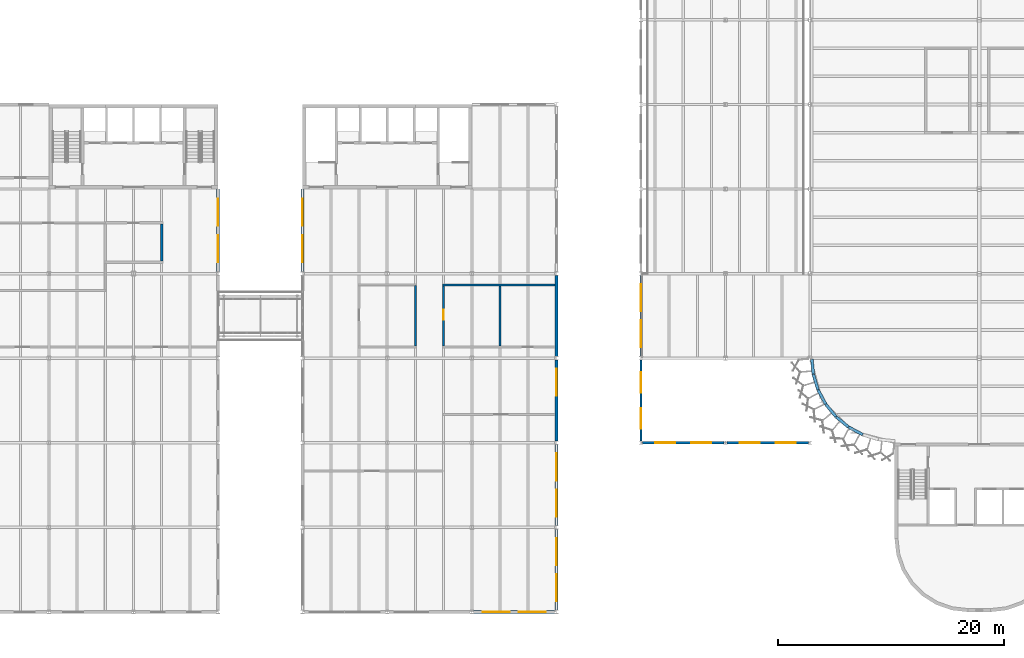
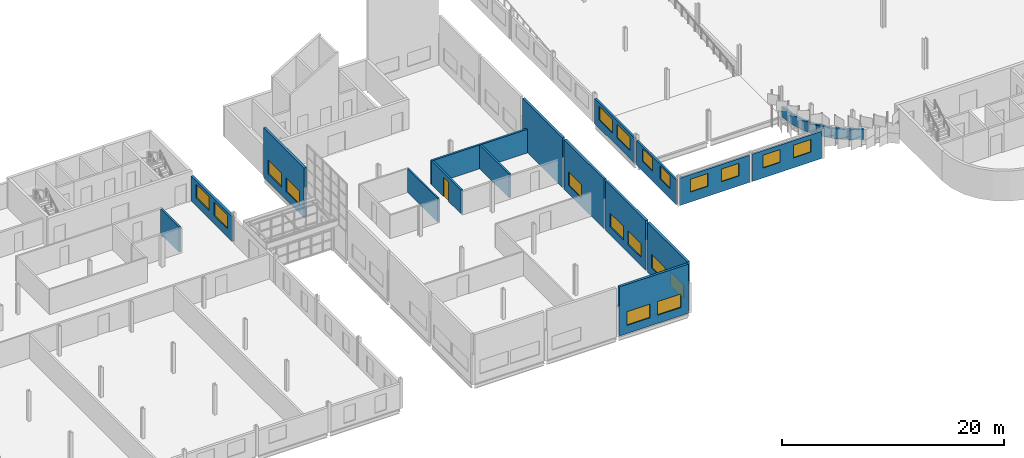
# One storey, part 53 of 198: 22 walls, 19 windows, 1 door, 20 openings.
"""IFC4 building model written with IfcOpenShell, lengths in metres."""

from ifc_helpers import new_model, si_unit, direction, frame, frame_2d, origin, place, context, subcontext, project, spatial, rectangle, extrude, material, layer, layer_set, type_object, element, fill, save


model = new_model("IFC4")

# Units and contexts
model_context = context("Model", 3, precision=1e-05, world=origin(), true_north=direction((0.0, 1.0)))
body_context = subcontext(model_context, "Body", "Model", "MODEL_VIEW")
ifc_project = project(units=[si_unit("LENGTHUNIT", "METRE"), si_unit("AREAUNIT", "SQUARE_METRE"), si_unit("VOLUMEUNIT", "CUBIC_METRE"), si_unit("PLANEANGLEUNIT", "RADIAN"), si_unit("MASSUNIT", "GRAM", prefix="KILO")], contexts=[model_context])

# Site, building, storey
site_placement = place(None, origin())
site = spatial("IfcSite", under=ifc_project, at=site_placement, CompositionType="ELEMENT")
building_placement = place(site_placement, origin())
building = spatial("IfcBuilding", under=site, at=building_placement, Name="Parallax Yard Mobility Hub", CompositionType="ELEMENT")
storey_placement = place(building_placement, frame((0.0, 0.0, 6.60009765625)))
storey = spatial("IfcBuildingStorey", under=building, at=storey_placement, Name="L02", CompositionType="ELEMENT", Elevation=6.60009765625)

# Walls
ifc_material_1 = material(Name="Concrete fc' 35 MPa", Category="concrete")
ifc_layer_1 = layer(ifc_material_1, 0.25)
ifc_layer_set_1 = layer_set([ifc_layer_1], Name="Deck-edge barrier wall, Concrete fc' 35 MPa precast, 250")
wall_type_1 = type_object("IfcWallType", Name="Deck-edge barrier wall, Concrete fc' 35 MPa precast, 250", PredefinedType="SOLIDWALL", material=ifc_layer_set_1)
wall_1_placement = place(storey_placement, frame((195.158935546875, 29.90380859375, 0.0), z_axis=(0.0, 0.0, 1.0), x_axis=(0.098067173263, -0.995179797588, 0.0)))
element("IfcWall", 1, at=wall_1_placement, inside=storey, type_object=wall_type_1, Name="Deck-edge barrier wall bay 30-1 level L02", PredefinedType="SOLIDWALL", context=body_context, shape_type="SweptSolid", body=[
    extrude(rectangle(XDim=1.329345703125, YDim=0.25, at=frame_2d((0.66455078125, 0.0))), origin(), (0.0, 0.0, 1.0), 1.099853515625),
])
wall_2_placement = place(storey_placement, frame((195.294921875, 28.55224609375, 0.0), z_axis=(0.0, 0.0, 1.0), x_axis=(0.290156256793, -0.956979282244, 0.0)))
element("IfcWall", 2, at=wall_2_placement, inside=storey, type_object=wall_type_1, Name="Deck-edge barrier wall bay 30-2 level L02", PredefinedType="SOLIDWALL", context=body_context, shape_type="SweptSolid", body=[
    extrude(rectangle(XDim=1.4111328125, YDim=0.25, at=frame_2d((0.70556640625, 0.0))), origin(), (0.0, 0.0, 1.0), 1.099853515625),
])
wall_3_placement = place(storey_placement, frame((195.715576171875, 27.1748046875, 0.0), z_axis=(0.0, 0.0, 1.0), x_axis=(0.47134246414, -0.881950271557, 0.0)))
element("IfcWall", 3, at=wall_3_placement, inside=storey, type_object=wall_type_1, Name="Deck-edge barrier wall bay 30-3 level L02", PredefinedType="SOLIDWALL", context=body_context, shape_type="SweptSolid", body=[
    extrude(rectangle(XDim=1.410888671875, YDim=0.25, at=frame_2d((0.70556640625, 0.0))), origin(), (0.0, 0.0, 1.0), 1.099853515625),
])
wall_4_placement = place(storey_placement, frame((196.396728515625, 25.90625, 0.0), z_axis=(0.0, 0.0, 1.0), x_axis=(0.634226469424, -0.773147324565, 0.0)))
element("IfcWall", 4, at=wall_4_placement, inside=storey, type_object=wall_type_1, Name="Deck-edge barrier wall bay 30-4 level L02", PredefinedType="SOLIDWALL", context=body_context, shape_type="SweptSolid", body=[
    extrude(rectangle(XDim=1.4111328125, YDim=0.25, at=frame_2d((0.70556640625, 0.0))), origin(), (0.0, 0.0, 1.0), 1.099853515625),
])
wall_5_placement = place(storey_placement, frame((197.3125, 24.794677734375, 0.0), z_axis=(0.0, 0.0, 1.0), x_axis=(0.772853557298, -0.634584414378, 0.0)))
element("IfcWall", 5, at=wall_5_placement, inside=storey, type_object=wall_type_1, Name="Deck-edge barrier wall bay 30-5 level L02", PredefinedType="SOLIDWALL", context=body_context, shape_type="SweptSolid", body=[
    extrude(rectangle(XDim=1.410888671875, YDim=0.25, at=frame_2d((0.70556640625, 0.0))), origin(), (0.0, 0.0, 1.0), 1.099853515625),
])
wall_6_placement = place(storey_placement, frame((198.427001953125, 23.883056640625, 0.0), z_axis=(0.0, 0.0, 1.0), x_axis=(0.881695934993, -0.471818056265, 0.0)))
element("IfcWall", 6, at=wall_6_placement, inside=storey, type_object=wall_type_1, Name="Deck-edge barrier wall bay 30-6 level L02", PredefinedType="SOLIDWALL", context=body_context, shape_type="SweptSolid", body=[
    extrude(rectangle(XDim=1.4111328125, YDim=0.25, at=frame_2d((0.70556640625, 0.0))), origin(), (0.0, 0.0, 1.0), 1.099853515625),
])

# Wall, openings, windows
ifc_layer_2 = layer(ifc_material_1, 0.25)
ifc_layer_set_2 = layer_set([ifc_layer_2], Name="Exterior wall, Concrete fc' 35 MPa precast, 250 with insulation lining")
wall_type_2 = type_object("IfcWallType", Name="Exterior wall, Concrete fc' 35 MPa precast, 250 with insulation lining", PredefinedType="SOLIDWALL", material=ifc_layer_set_2)
wall_7_placement = place(storey_placement, frame((165.153564453125, 7.5, 0.0), z_axis=(0.0, 0.0, 1.0), x_axis=(1.0, 0.0, 0.0)))
wall_7 = element("IfcWall", 7, at=wall_7_placement, inside=storey, type_object=wall_type_2, Name="Bicycle and shared-mobility hall south wall bay 3 level L02", PredefinedType="SOLIDWALL", context=body_context, shape_type="SweptSolid", body=[
    extrude(rectangle(XDim=7.19287109375, YDim=0.25, at=frame_2d((3.596435546875, 0.0))), origin(), (0.0, 0.0, 1.0), 5.39990234375),
])
opening_1_placement = place(wall_7_placement, frame((0.797607421875, 0.0, 0.89990234375)))
opening_1 = element("IfcOpeningElement", 8, at=opening_1_placement, cuts=wall_7, Name="Opening W1", PredefinedType="OPENING", context=body_context, shape_type="SweptSolid", body=[
    extrude(rectangle(XDim=2.39990234375, YDim=1.5, at=frame_2d((1.199951171875, 0.75))), frame((0.0, 0.135009765625, 0.0), z_axis=(0.0, -1.0, 0.0), x_axis=(1.0, 0.0, 0.0)), (0.0, 0.0, 1.0), 0.27001953125),
])
opening_2_placement = place(wall_7_placement, frame((3.995361328125, 0.0, 0.89990234375)))
opening_2 = element("IfcOpeningElement", 9, at=opening_2_placement, cuts=wall_7, Name="Opening W1", PredefinedType="OPENING", context=body_context, shape_type="SweptSolid", body=[
    extrude(rectangle(XDim=2.39990234375, YDim=1.5, at=frame_2d((1.199951171875, 0.75))), frame((0.0, 0.135009765625, 0.0), z_axis=(0.0, -1.0, 0.0), x_axis=(1.0, 0.0, 0.0)), (0.0, 0.0, 1.0), 0.27001953125),
])
ifc_material_2 = material(Name="Double glazed low-E unit in thermally broken aluminium frame", Category="aluminium")
window_type_1 = type_object("IfcWindowType", Name="Window 2400 x 1500", PartitioningType="DOUBLE_PANEL_VERTICAL", PredefinedType="WINDOW", material=ifc_material_2)
window_1_placement = place(opening_1_placement, origin())
window_1 = element("IfcWindow", 10, at=window_1_placement, inside=storey, type_object=window_type_1, Name="Window W1 level L02", OverallHeight=1.5, OverallWidth=2.39990234375, PartitioningType="DOUBLE_PANEL_VERTICAL", PredefinedType="WINDOW", context=body_context, shape_type="SweptSolid", body=[
    extrude(rectangle(XDim=2.39990234375, YDim=1.5, at=frame_2d((1.199951171875, 0.75))), frame((0.0, 0.030029296875, 0.0), z_axis=(0.0, -1.0, 0.0), x_axis=(1.0, 0.0, 0.0)), (0.0, 0.0, 1.0), 0.06005859375),
])
fill(opening_1, window_1)
window_2_placement = place(opening_2_placement, origin())
window_2 = element("IfcWindow", 11, at=window_2_placement, inside=storey, type_object=window_type_1, Name="Window W1 level L02", OverallHeight=1.5, OverallWidth=2.39990234375, PartitioningType="DOUBLE_PANEL_VERTICAL", PredefinedType="WINDOW", context=body_context, shape_type="SweptSolid", body=[
    extrude(rectangle(XDim=2.39990234375, YDim=1.5, at=frame_2d((1.199951171875, 0.75))), frame((0.0, 0.030029296875, 0.0), z_axis=(0.0, -1.0, 0.0), x_axis=(1.0, 0.0, 0.0)), (0.0, 0.0, 1.0), 0.06005859375),
])
fill(opening_2, window_2)

wall_8_placement = place(storey_placement, frame((172.5, 7.653564453125, 0.0), z_axis=(0.0, 0.0, 1.0), x_axis=(0.0, 1.0, 0.0)))
wall_8 = element("IfcWall", 12, at=wall_8_placement, inside=storey, type_object=wall_type_2, Name="Bicycle and shared-mobility hall east wall bay 1 level L02", PredefinedType="SOLIDWALL", context=body_context, shape_type="SweptSolid", body=[
    extrude(rectangle(XDim=7.19287109375, YDim=0.25, at=frame_2d((3.596435546875, 0.0))), origin(), (0.0, 0.0, 1.0), 5.4404296875),
])
opening_3_placement = place(wall_8_placement, frame((0.797607421875, 0.0, 0.89990234375)))
opening_3 = element("IfcOpeningElement", 13, at=opening_3_placement, cuts=wall_8, Name="Opening W1", PredefinedType="OPENING", context=body_context, shape_type="SweptSolid", body=[
    extrude(rectangle(XDim=2.39990234375, YDim=1.5, at=frame_2d((1.199951171875, 0.75))), frame((0.0, 0.135009765625, 0.0), z_axis=(0.0, -1.0, 0.0), x_axis=(1.0, 0.0, 0.0)), (0.0, 0.0, 1.0), 0.27001953125),
])
opening_4_placement = place(wall_8_placement, frame((3.995361328125, 0.0, 0.89990234375)))
opening_4 = element("IfcOpeningElement", 14, at=opening_4_placement, cuts=wall_8, Name="Opening W1", PredefinedType="OPENING", context=body_context, shape_type="SweptSolid", body=[
    extrude(rectangle(XDim=2.39990234375, YDim=1.5, at=frame_2d((1.199951171875, 0.75))), frame((0.0, 0.135009765625, 0.0), z_axis=(0.0, -1.0, 0.0), x_axis=(1.0, 0.0, 0.0)), (0.0, 0.0, 1.0), 0.27001953125),
])
window_3_placement = place(opening_3_placement, origin())
window_3 = element("IfcWindow", 15, at=window_3_placement, inside=storey, type_object=window_type_1, Name="Window W1 level L02", OverallHeight=1.5, OverallWidth=2.39990234375, PartitioningType="DOUBLE_PANEL_VERTICAL", PredefinedType="WINDOW", context=body_context, shape_type="SweptSolid", body=[
    extrude(rectangle(XDim=2.39990234375, YDim=1.5, at=frame_2d((1.199951171875, 0.75))), frame((0.0, 0.030029296875, 0.0), z_axis=(0.0, -1.0, 0.0), x_axis=(1.0, 0.0, 0.0)), (0.0, 0.0, 1.0), 0.06005859375),
])
fill(opening_3, window_3)
window_4_placement = place(opening_4_placement, origin())
window_4 = element("IfcWindow", 16, at=window_4_placement, inside=storey, type_object=window_type_1, Name="Window W1 level L02", OverallHeight=1.5, OverallWidth=2.39990234375, PartitioningType="DOUBLE_PANEL_VERTICAL", PredefinedType="WINDOW", context=body_context, shape_type="SweptSolid", body=[
    extrude(rectangle(XDim=2.39990234375, YDim=1.5, at=frame_2d((1.199951171875, 0.75))), frame((0.0, 0.030029296875, 0.0), z_axis=(0.0, -1.0, 0.0), x_axis=(1.0, 0.0, 0.0)), (0.0, 0.0, 1.0), 0.06005859375),
])
fill(opening_4, window_4)

wall_9_placement = place(storey_placement, frame((172.5, 15.153564453125, 0.0), z_axis=(0.0, 0.0, 1.0), x_axis=(0.0, 1.0, 0.0)))
wall_9 = element("IfcWall", 17, at=wall_9_placement, inside=storey, type_object=wall_type_2, Name="Bicycle and shared-mobility hall east wall bay 2 level L02", PredefinedType="SOLIDWALL", context=body_context, shape_type="SweptSolid", body=[
    extrude(rectangle(XDim=7.19287109375, YDim=0.25, at=frame_2d((3.596435546875, 0.0))), origin(), (0.0, 0.0, 1.0), 5.4404296875),
])
opening_5_placement = place(wall_9_placement, frame((0.797607421875, 0.0, 0.89990234375)))
opening_5 = element("IfcOpeningElement", 18, at=opening_5_placement, cuts=wall_9, Name="Opening W1", PredefinedType="OPENING", context=body_context, shape_type="SweptSolid", body=[
    extrude(rectangle(XDim=2.39990234375, YDim=1.5, at=frame_2d((1.199951171875, 0.75))), frame((0.0, 0.135009765625, 0.0), z_axis=(0.0, -1.0, 0.0), x_axis=(1.0, 0.0, 0.0)), (0.0, 0.0, 1.0), 0.27001953125),
])
opening_6_placement = place(wall_9_placement, frame((3.995361328125, 0.0, 0.89990234375)))
opening_6 = element("IfcOpeningElement", 19, at=opening_6_placement, cuts=wall_9, Name="Opening W1", PredefinedType="OPENING", context=body_context, shape_type="SweptSolid", body=[
    extrude(rectangle(XDim=2.39990234375, YDim=1.5, at=frame_2d((1.199951171875, 0.75))), frame((0.0, 0.135009765625, 0.0), z_axis=(0.0, -1.0, 0.0), x_axis=(1.0, 0.0, 0.0)), (0.0, 0.0, 1.0), 0.27001953125),
])
window_5_placement = place(opening_5_placement, origin())
window_5 = element("IfcWindow", 20, at=window_5_placement, inside=storey, type_object=window_type_1, Name="Window W1 level L02", OverallHeight=1.5, OverallWidth=2.39990234375, PartitioningType="DOUBLE_PANEL_VERTICAL", PredefinedType="WINDOW", context=body_context, shape_type="SweptSolid", body=[
    extrude(rectangle(XDim=2.39990234375, YDim=1.5, at=frame_2d((1.199951171875, 0.75))), frame((0.0, 0.030029296875, 0.0), z_axis=(0.0, -1.0, 0.0), x_axis=(1.0, 0.0, 0.0)), (0.0, 0.0, 1.0), 0.06005859375),
])
fill(opening_5, window_5)
window_6_placement = place(opening_6_placement, origin())
window_6 = element("IfcWindow", 21, at=window_6_placement, inside=storey, type_object=window_type_1, Name="Window W1 level L02", OverallHeight=1.5, OverallWidth=2.39990234375, PartitioningType="DOUBLE_PANEL_VERTICAL", PredefinedType="WINDOW", context=body_context, shape_type="SweptSolid", body=[
    extrude(rectangle(XDim=2.39990234375, YDim=1.5, at=frame_2d((1.199951171875, 0.75))), frame((0.0, 0.030029296875, 0.0), z_axis=(0.0, -1.0, 0.0), x_axis=(1.0, 0.0, 0.0)), (0.0, 0.0, 1.0), 0.06005859375),
])
fill(opening_6, window_6)

# Wall, opening, window
wall_10_placement = place(storey_placement, frame((172.5, 22.653564453125, 0.0), z_axis=(0.0, 0.0, 1.0), x_axis=(0.0, 1.0, 0.0)))
wall_10 = element("IfcWall", 22, at=wall_10_placement, inside=storey, type_object=wall_type_2, Name="Bicycle and shared-mobility hall east wall bay 3 level L02", PredefinedType="SOLIDWALL", context=body_context, shape_type="SweptSolid", body=[
    extrude(rectangle(XDim=7.19287109375, YDim=0.25, at=frame_2d((3.596435546875, 0.0))), origin(), (0.0, 0.0, 1.0), 5.4404296875),
])
opening_7_placement = place(wall_10_placement, frame((3.995361328125, 0.0, 0.89990234375)))
opening_7 = element("IfcOpeningElement", 23, at=opening_7_placement, cuts=wall_10, Name="Opening W1", PredefinedType="OPENING", context=body_context, shape_type="SweptSolid", body=[
    extrude(rectangle(XDim=2.39990234375, YDim=1.5, at=frame_2d((1.199951171875, 0.75))), frame((0.0, 0.135009765625, 0.0), z_axis=(0.0, -1.0, 0.0), x_axis=(1.0, 0.0, 0.0)), (0.0, 0.0, 1.0), 0.27001953125),
])
window_7_placement = place(opening_7_placement, origin())
window_7 = element("IfcWindow", 24, at=window_7_placement, inside=storey, type_object=window_type_1, Name="Window W1 level L02", OverallHeight=1.5, OverallWidth=2.39990234375, PartitioningType="DOUBLE_PANEL_VERTICAL", PredefinedType="WINDOW", context=body_context, shape_type="SweptSolid", body=[
    extrude(rectangle(XDim=2.39990234375, YDim=1.5, at=frame_2d((1.199951171875, 0.75))), frame((0.0, 0.030029296875, 0.0), z_axis=(0.0, -1.0, 0.0), x_axis=(1.0, 0.0, 0.0)), (0.0, 0.0, 1.0), 0.06005859375),
])
fill(opening_7, window_7)

# Wall
wall_11_placement = place(storey_placement, frame((172.5, 30.153564453125, 0.0), z_axis=(0.0, 0.0, 1.0), x_axis=(0.0, 1.0, 0.0)))
element("IfcWall", 25, at=wall_11_placement, inside=storey, type_object=wall_type_2, Name="Bicycle and shared-mobility hall east wall bay 4 level L02", PredefinedType="SOLIDWALL", context=body_context, shape_type="SweptSolid", body=[
    extrude(rectangle(XDim=7.19287109375, YDim=0.25, at=frame_2d((3.596435546875, 0.0))), origin(), (0.0, 0.0, 1.0), 5.4404296875),
])

# Wall, openings, windows
wall_12_placement = place(storey_placement, frame((150.0, 37.653564453125, 0.0), z_axis=(0.0, 0.0, 1.0), x_axis=(0.0, 1.0, 0.0)))
wall_12 = element("IfcWall", 26, at=wall_12_placement, inside=storey, type_object=wall_type_2, Name="Bicycle and shared-mobility hall west wall bay 5 level L02", PredefinedType="SOLIDWALL", context=body_context, shape_type="SweptSolid", body=[
    extrude(rectangle(XDim=7.346435546875, YDim=0.25, at=frame_2d((3.67333984375, 0.0))), origin(), (0.0, 0.0, 1.0), 5.4404296875),
])
opening_8_placement = place(wall_12_placement, frame((0.848876953125, 0.0, 0.89990234375)))
opening_8 = element("IfcOpeningElement", 27, at=opening_8_placement, cuts=wall_12, Name="Opening W1", PredefinedType="OPENING", context=body_context, shape_type="SweptSolid", body=[
    extrude(rectangle(XDim=2.39990234375, YDim=1.5, at=frame_2d((1.199951171875, 0.75))), frame((0.0, 0.135009765625, 0.0), z_axis=(0.0, -1.0, 0.0), x_axis=(1.0, 0.0, 0.0)), (0.0, 0.0, 1.0), 0.27001953125),
])
opening_9_placement = place(wall_12_placement, frame((4.09765625, 0.0, 0.89990234375)))
opening_9 = element("IfcOpeningElement", 28, at=opening_9_placement, cuts=wall_12, Name="Opening W1", PredefinedType="OPENING", context=body_context, shape_type="SweptSolid", body=[
    extrude(rectangle(XDim=2.39990234375, YDim=1.5, at=frame_2d((1.199951171875, 0.75))), frame((0.0, 0.135009765625, 0.0), z_axis=(0.0, -1.0, 0.0), x_axis=(1.0, 0.0, 0.0)), (0.0, 0.0, 1.0), 0.27001953125),
])
window_8_placement = place(opening_8_placement, origin())
window_8 = element("IfcWindow", 29, at=window_8_placement, inside=storey, type_object=window_type_1, Name="Window W1 level L02", OverallHeight=1.5, OverallWidth=2.39990234375, PartitioningType="DOUBLE_PANEL_VERTICAL", PredefinedType="WINDOW", context=body_context, shape_type="SweptSolid", body=[
    extrude(rectangle(XDim=2.39990234375, YDim=1.5, at=frame_2d((1.199951171875, 0.75))), frame((0.0, 0.030029296875, 0.0), z_axis=(0.0, -1.0, 0.0), x_axis=(1.0, 0.0, 0.0)), (0.0, 0.0, 1.0), 0.06005859375),
])
fill(opening_8, window_8)
window_9_placement = place(opening_9_placement, origin())
window_9 = element("IfcWindow", 30, at=window_9_placement, inside=storey, type_object=window_type_1, Name="Window W1 level L02", OverallHeight=1.5, OverallWidth=2.39990234375, PartitioningType="DOUBLE_PANEL_VERTICAL", PredefinedType="WINDOW", context=body_context, shape_type="SweptSolid", body=[
    extrude(rectangle(XDim=2.39990234375, YDim=1.5, at=frame_2d((1.199951171875, 0.75))), frame((0.0, 0.030029296875, 0.0), z_axis=(0.0, -1.0, 0.0), x_axis=(1.0, 0.0, 0.0)), (0.0, 0.0, 1.0), 0.06005859375),
])
fill(opening_9, window_9)

wall_13_placement = place(storey_placement, frame((142.5, 37.658935546875, 0.0), z_axis=(0.0, 0.0, 1.0), x_axis=(0.0, 1.0, 0.0)))
wall_13 = element("IfcWall", 31, at=wall_13_placement, inside=storey, type_object=wall_type_2, Name="Mobility service centre and workshops east wall bay 5 level L02", PredefinedType="SOLIDWALL", context=body_context, shape_type="SweptSolid", body=[
    extrude(rectangle(XDim=7.341064453125, YDim=0.25, at=frame_2d((3.67041015625, 0.0))), origin(), (0.0, 0.0, 1.0), 2.7509765625),
])
opening_10_placement = place(wall_13_placement, frame((0.846923828125, 0.0, 0.89990234375)))
opening_10 = element("IfcOpeningElement", 32, at=opening_10_placement, cuts=wall_13, Name="Opening W1", PredefinedType="OPENING", context=body_context, shape_type="SweptSolid", body=[
    extrude(rectangle(XDim=2.39990234375, YDim=1.5, at=frame_2d((1.199951171875, 0.75))), frame((0.0, 0.135009765625, 0.0), z_axis=(0.0, -1.0, 0.0), x_axis=(1.0, 0.0, 0.0)), (0.0, 0.0, 1.0), 0.27001953125),
])
opening_11_placement = place(wall_13_placement, frame((4.093994140625, 0.0, 0.89990234375)))
opening_11 = element("IfcOpeningElement", 33, at=opening_11_placement, cuts=wall_13, Name="Opening W1", PredefinedType="OPENING", context=body_context, shape_type="SweptSolid", body=[
    extrude(rectangle(XDim=2.39990234375, YDim=1.5, at=frame_2d((1.199951171875, 0.75))), frame((0.0, 0.135009765625, 0.0), z_axis=(0.0, -1.0, 0.0), x_axis=(1.0, 0.0, 0.0)), (0.0, 0.0, 1.0), 0.27001953125),
])
window_10_placement = place(opening_10_placement, origin())
window_10 = element("IfcWindow", 34, at=window_10_placement, inside=storey, type_object=window_type_1, Name="Window W1 level L02", OverallHeight=1.5, OverallWidth=2.39990234375, PartitioningType="DOUBLE_PANEL_VERTICAL", PredefinedType="WINDOW", context=body_context, shape_type="SweptSolid", body=[
    extrude(rectangle(XDim=2.39990234375, YDim=1.5, at=frame_2d((1.199951171875, 0.75))), frame((0.0, 0.030029296875, 0.0), z_axis=(0.0, -1.0, 0.0), x_axis=(1.0, 0.0, 0.0)), (0.0, 0.0, 1.0), 0.06005859375),
])
fill(opening_10, window_10)
window_11_placement = place(opening_11_placement, origin())
window_11 = element("IfcWindow", 35, at=window_11_placement, inside=storey, type_object=window_type_1, Name="Window W1 level L02", OverallHeight=1.5, OverallWidth=2.39990234375, PartitioningType="DOUBLE_PANEL_VERTICAL", PredefinedType="WINDOW", context=body_context, shape_type="SweptSolid", body=[
    extrude(rectangle(XDim=2.39990234375, YDim=1.5, at=frame_2d((1.199951171875, 0.75))), frame((0.0, 0.030029296875, 0.0), z_axis=(0.0, -1.0, 0.0), x_axis=(1.0, 0.0, 0.0)), (0.0, 0.0, 1.0), 0.06005859375),
])
fill(opening_11, window_11)

# Walls
ifc_material_3 = material(Name="Fire-rated plasterboard partition, two layers each side")
ifc_layer_3 = layer(ifc_material_3, 0.199951171875)
ifc_layer_set_3 = layer_set([ifc_layer_3], Name="Fire-rated partition 200 mm")
wall_type_3 = type_object("IfcWallType", Name="Fire-rated partition 200 mm", PredefinedType="PARTITIONING", material=ifc_layer_set_3)
wall_14_placement = place(storey_placement, frame((162.39990234375, 36.5, 0.0), z_axis=(0.0, 0.0, 1.0), x_axis=(1.0, 0.0, 0.0)))
element("IfcWall", 36, at=wall_14_placement, inside=storey, type_object=wall_type_3, Name="Partition 10 level L02", PredefinedType="PARTITIONING", context=body_context, shape_type="SweptSolid", body=[
    extrude(rectangle(XDim=9.97509765625, YDim=0.199951171875, at=frame_2d((4.987548828125, 0.0))), origin(), (0.0, 0.0, 1.0), 2.60986328125),
])
wall_15_placement = place(storey_placement, frame((137.5, 38.60009765625, 0.0), z_axis=(0.0, 0.0, 1.0), x_axis=(0.0, 1.0, 0.0)))
element("IfcWall", 37, at=wall_15_placement, inside=storey, type_object=wall_type_3, Name="Partition 46 level L02", PredefinedType="PARTITIONING", context=body_context, shape_type="SweptSolid", body=[
    extrude(rectangle(XDim=3.2998046875, YDim=0.199951171875, at=frame_2d((1.64990234375, 0.0))), origin(), (0.0, 0.0, 1.0), 2.75390625),
])

# Wall, opening, door
wall_16_placement = place(storey_placement, frame((162.5, 31.10009765625, 0.0), z_axis=(0.0, 0.0, 1.0), x_axis=(0.0, 1.0, 0.0)))
wall_16 = element("IfcWall", 38, at=wall_16_placement, inside=storey, type_object=wall_type_3, Name="Partition 50 level L02", PredefinedType="PARTITIONING", context=body_context, shape_type="SweptSolid", body=[
    extrude(rectangle(XDim=5.2998046875, YDim=0.199951171875, at=frame_2d((2.64990234375, 0.0))), origin(), (0.0, 0.0, 1.0), 2.60986328125),
])
opening_12_placement = place(wall_16_placement, frame((2.300048828125, 0.0, 0.0)))
opening_12 = element("IfcOpeningElement", 39, at=opening_12_placement, cuts=wall_16, Name="Opening L02-D207", PredefinedType="OPENING", context=body_context, shape_type="SweptSolid", body=[
    extrude(rectangle(XDim=0.89990234375, YDim=2.10009765625, at=frame_2d((0.449951171875, 1.050048828125))), frame((0.0, 0.10986328125, 0.0), z_axis=(0.0, -1.0, 0.0), x_axis=(1.0, 0.0, 0.0)), (0.0, 0.0, 1.0), 0.219970703125),
])
ifc_material_4 = material(Name="Hollow metal fire door leaf with intumescent seals")
door_type = type_object("IfcDoorType", Name="Fire door 900 mm FD60", OperationType="NOTDEFINED", PredefinedType="DOOR", material=ifc_material_4)
door_placement = place(opening_12_placement, origin())
door = element("IfcDoor", 40, at=door_placement, inside=storey, type_object=door_type, Name="Door L02-D207 Accessible WC", OperationType="SINGLE_SWING_RIGHT", OverallHeight=2.10009765625, OverallWidth=0.89990234375, PredefinedType="DOOR", context=body_context, shape_type="SweptSolid", body=[
    extrude(rectangle(XDim=0.89990234375, YDim=2.10009765625, at=frame_2d((0.449951171875, 1.050048828125))), frame((0.0, 0.02490234375, 0.0), z_axis=(0.0, -1.0, 0.0), x_axis=(1.0, 0.0, 0.0)), (0.0, 0.0, 1.0), 0.050048828125),
])
fill(opening_12, door)

# Wall
wall_17_placement = place(storey_placement, frame((167.5, 31.10009765625, 0.0), z_axis=(0.0, 0.0, 1.0), x_axis=(0.0, 1.0, 0.0)))
element("IfcWall", 41, at=wall_17_placement, inside=storey, type_object=wall_type_3, Name="Partition 51 level L02", PredefinedType="PARTITIONING", context=body_context, shape_type="SweptSolid", body=[
    extrude(rectangle(XDim=5.2998046875, YDim=0.199951171875, at=frame_2d((2.64990234375, 0.0))), origin(), (0.0, 0.0, 1.0), 2.60986328125),
])

# Wall, openings, windows
ifc_layer_4 = layer(ifc_material_1, 0.199951171875)
ifc_layer_set_4 = layer_set([ifc_layer_4], Name="Louvre screen wall, Concrete fc' 35 MPa precast, 200")
wall_type_4 = type_object("IfcWallType", Name="Louvre screen wall, Concrete fc' 35 MPa precast, 200", PredefinedType="SOLIDWALL", material=ifc_layer_set_4)
wall_18_placement = place(storey_placement, frame((180.0, 22.653564453125, 0.0), z_axis=(0.0, 0.0, 1.0), x_axis=(0.0, 1.0, 0.0)))
wall_18 = element("IfcWall", 42, at=wall_18_placement, inside=storey, type_object=wall_type_4, Name="Ramp house west wall bay 1 level L02", PredefinedType="SOLIDWALL", context=body_context, shape_type="SweptSolid", body=[
    extrude(rectangle(XDim=7.19287109375, YDim=0.199951171875, at=frame_2d((3.596435546875, 0.0))), origin(), (0.0, 0.0, 1.0), 2.7099609375),
])
opening_13_placement = place(wall_18_placement, frame((1.09765625, 0.0, 1.10009765625)))
opening_13 = element("IfcOpeningElement", 43, at=opening_13_placement, cuts=wall_18, Name="Opening LV2", PredefinedType="OPENING", context=body_context, shape_type="SweptSolid", body=[
    extrude(rectangle(XDim=1.800048828125, YDim=1.39990234375, at=frame_2d((0.89990234375, 0.699951171875))), frame((0.0, 0.10986328125, 0.0), z_axis=(0.0, -1.0, 0.0), x_axis=(1.0, 0.0, 0.0)), (0.0, 0.0, 1.0), 0.219970703125),
])
opening_14_placement = place(wall_18_placement, frame((4.29541015625, 0.0, 1.10009765625)))
opening_14 = element("IfcOpeningElement", 44, at=opening_14_placement, cuts=wall_18, Name="Opening LV2", PredefinedType="OPENING", context=body_context, shape_type="SweptSolid", body=[
    extrude(rectangle(XDim=1.800048828125, YDim=1.39990234375, at=frame_2d((0.89990234375, 0.699951171875))), frame((0.0, 0.10986328125, 0.0), z_axis=(0.0, -1.0, 0.0), x_axis=(1.0, 0.0, 0.0)), (0.0, 0.0, 1.0), 0.219970703125),
])
ifc_material_5 = material(Name="Extruded aluminium storm louvre blades in a powder-coated frame", Category="aluminium")
window_type_2 = type_object("IfcWindowType", Name="Screen louvre 1800 x 1400", PartitioningType="SINGLE_PANEL", PredefinedType="WINDOW", material=ifc_material_5)
window_12_placement = place(opening_13_placement, origin())
window_12 = element("IfcWindow", 45, at=window_12_placement, inside=storey, type_object=window_type_2, Name="LV2 louvre level L02", OverallHeight=1.39990234375, OverallWidth=1.800048828125, PartitioningType="SINGLE_PANEL", PredefinedType="WINDOW", context=body_context, shape_type="SweptSolid", body=[
    extrude(rectangle(XDim=1.800048828125, YDim=1.39990234375, at=frame_2d((0.89990234375, 0.699951171875))), frame((0.0, 0.030029296875, 0.0), z_axis=(0.0, -1.0, 0.0), x_axis=(1.0, 0.0, 0.0)), (0.0, 0.0, 1.0), 0.06005859375),
])
fill(opening_13, window_12)
window_13_placement = place(opening_14_placement, origin())
window_13 = element("IfcWindow", 46, at=window_13_placement, inside=storey, type_object=window_type_2, Name="LV2 louvre level L02", OverallHeight=1.39990234375, OverallWidth=1.800048828125, PartitioningType="SINGLE_PANEL", PredefinedType="WINDOW", context=body_context, shape_type="SweptSolid", body=[
    extrude(rectangle(XDim=1.800048828125, YDim=1.39990234375, at=frame_2d((0.89990234375, 0.699951171875))), frame((0.0, 0.030029296875, 0.0), z_axis=(0.0, -1.0, 0.0), x_axis=(1.0, 0.0, 0.0)), (0.0, 0.0, 1.0), 0.06005859375),
])
fill(opening_14, window_13)

wall_19_placement = place(storey_placement, frame((180.0, 30.153564453125, 0.0), z_axis=(0.0, 0.0, 1.0), x_axis=(0.0, 1.0, 0.0)))
wall_19 = element("IfcWall", 47, at=wall_19_placement, inside=storey, type_object=wall_type_4, Name="Ramp house west wall bay 2 level L02", PredefinedType="SOLIDWALL", context=body_context, shape_type="SweptSolid", body=[
    extrude(rectangle(XDim=7.19287109375, YDim=0.199951171875, at=frame_2d((3.596435546875, 0.0))), origin(), (0.0, 0.0, 1.0), 2.75390625),
])
opening_15_placement = place(wall_19_placement, frame((0.797607421875, 0.0, 0.89990234375)))
opening_15 = element("IfcOpeningElement", 48, at=opening_15_placement, cuts=wall_19, Name="Opening W1", PredefinedType="OPENING", context=body_context, shape_type="SweptSolid", body=[
    extrude(rectangle(XDim=2.39990234375, YDim=1.5, at=frame_2d((1.199951171875, 0.75))), frame((0.0, 0.10986328125, 0.0), z_axis=(0.0, -1.0, 0.0), x_axis=(1.0, 0.0, 0.0)), (0.0, 0.0, 1.0), 0.219970703125),
])
opening_16_placement = place(wall_19_placement, frame((3.995361328125, 0.0, 0.89990234375)))
opening_16 = element("IfcOpeningElement", 49, at=opening_16_placement, cuts=wall_19, Name="Opening W1", PredefinedType="OPENING", context=body_context, shape_type="SweptSolid", body=[
    extrude(rectangle(XDim=2.39990234375, YDim=1.5, at=frame_2d((1.199951171875, 0.75))), frame((0.0, 0.10986328125, 0.0), z_axis=(0.0, -1.0, 0.0), x_axis=(1.0, 0.0, 0.0)), (0.0, 0.0, 1.0), 0.219970703125),
])
window_14_placement = place(opening_15_placement, origin())
window_14 = element("IfcWindow", 50, at=window_14_placement, inside=storey, type_object=window_type_1, Name="Window W1 level L02", OverallHeight=1.5, OverallWidth=2.39990234375, PartitioningType="DOUBLE_PANEL_VERTICAL", PredefinedType="WINDOW", context=body_context, shape_type="SweptSolid", body=[
    extrude(rectangle(XDim=2.39990234375, YDim=1.5, at=frame_2d((1.199951171875, 0.75))), frame((0.0, 0.030029296875, 0.0), z_axis=(0.0, -1.0, 0.0), x_axis=(1.0, 0.0, 0.0)), (0.0, 0.0, 1.0), 0.06005859375),
])
fill(opening_15, window_14)
window_15_placement = place(opening_16_placement, origin())
window_15 = element("IfcWindow", 51, at=window_15_placement, inside=storey, type_object=window_type_1, Name="Window W1 level L02", OverallHeight=1.5, OverallWidth=2.39990234375, PartitioningType="DOUBLE_PANEL_VERTICAL", PredefinedType="WINDOW", context=body_context, shape_type="SweptSolid", body=[
    extrude(rectangle(XDim=2.39990234375, YDim=1.5, at=frame_2d((1.199951171875, 0.75))), frame((0.0, 0.030029296875, 0.0), z_axis=(0.0, -1.0, 0.0), x_axis=(1.0, 0.0, 0.0)), (0.0, 0.0, 1.0), 0.06005859375),
])
fill(opening_16, window_15)

wall_20_placement = place(storey_placement, frame((180.153564453125, 22.5, 0.0), z_axis=(0.0, 0.0, 1.0), x_axis=(1.0, 0.0, 0.0)))
wall_20 = element("IfcWall", 52, at=wall_20_placement, inside=storey, type_object=wall_type_4, Name="Ramp house south wall bay 1 level L02", PredefinedType="SOLIDWALL", context=body_context, shape_type="SweptSolid", body=[
    extrude(rectangle(XDim=7.19287109375, YDim=0.199951171875, at=frame_2d((3.596435546875, 0.0))), origin(), (0.0, 0.0, 1.0), 2.989990234375),
])
opening_17_placement = place(wall_20_placement, frame((1.09765625, 0.0, 1.10009765625)))
opening_17 = element("IfcOpeningElement", 53, at=opening_17_placement, cuts=wall_20, Name="Opening LV2", PredefinedType="OPENING", context=body_context, shape_type="SweptSolid", body=[
    extrude(rectangle(XDim=1.800048828125, YDim=1.39990234375, at=frame_2d((0.89990234375, 0.699951171875))), frame((0.0, 0.10986328125, 0.0), z_axis=(0.0, -1.0, 0.0), x_axis=(1.0, 0.0, 0.0)), (0.0, 0.0, 1.0), 0.219970703125),
])
opening_18_placement = place(wall_20_placement, frame((4.29541015625, 0.0, 1.10009765625)))
opening_18 = element("IfcOpeningElement", 54, at=opening_18_placement, cuts=wall_20, Name="Opening LV2", PredefinedType="OPENING", context=body_context, shape_type="SweptSolid", body=[
    extrude(rectangle(XDim=1.800048828125, YDim=1.39990234375, at=frame_2d((0.89990234375, 0.699951171875))), frame((0.0, 0.10986328125, 0.0), z_axis=(0.0, -1.0, 0.0), x_axis=(1.0, 0.0, 0.0)), (0.0, 0.0, 1.0), 0.219970703125),
])
window_16_placement = place(opening_17_placement, origin())
window_16 = element("IfcWindow", 55, at=window_16_placement, inside=storey, type_object=window_type_2, Name="LV2 louvre level L02", OverallHeight=1.39990234375, OverallWidth=1.800048828125, PartitioningType="SINGLE_PANEL", PredefinedType="WINDOW", context=body_context, shape_type="SweptSolid", body=[
    extrude(rectangle(XDim=1.800048828125, YDim=1.39990234375, at=frame_2d((0.89990234375, 0.699951171875))), frame((0.0, 0.030029296875, 0.0), z_axis=(0.0, -1.0, 0.0), x_axis=(1.0, 0.0, 0.0)), (0.0, 0.0, 1.0), 0.06005859375),
])
fill(opening_17, window_16)
window_17_placement = place(opening_18_placement, origin())
window_17 = element("IfcWindow", 56, at=window_17_placement, inside=storey, type_object=window_type_2, Name="LV2 louvre level L02", OverallHeight=1.39990234375, OverallWidth=1.800048828125, PartitioningType="SINGLE_PANEL", PredefinedType="WINDOW", context=body_context, shape_type="SweptSolid", body=[
    extrude(rectangle(XDim=1.800048828125, YDim=1.39990234375, at=frame_2d((0.89990234375, 0.699951171875))), frame((0.0, 0.030029296875, 0.0), z_axis=(0.0, -1.0, 0.0), x_axis=(1.0, 0.0, 0.0)), (0.0, 0.0, 1.0), 0.06005859375),
])
fill(opening_18, window_17)

wall_21_placement = place(storey_placement, frame((187.653564453125, 22.5, 0.0), z_axis=(0.0, 0.0, 1.0), x_axis=(1.0, 0.0, 0.0)))
wall_21 = element("IfcWall", 57, at=wall_21_placement, inside=storey, type_object=wall_type_4, Name="Ramp house south wall bay 2 level L02", PredefinedType="SOLIDWALL", context=body_context, shape_type="SweptSolid", body=[
    extrude(rectangle(XDim=7.19287109375, YDim=0.199951171875, at=frame_2d((3.596435546875, 0.0))), origin(), (0.0, 0.0, 1.0), 2.989990234375),
])
opening_19_placement = place(wall_21_placement, frame((1.09765625, 0.0, 1.10009765625)))
opening_19 = element("IfcOpeningElement", 58, at=opening_19_placement, cuts=wall_21, Name="Opening LV2", PredefinedType="OPENING", context=body_context, shape_type="SweptSolid", body=[
    extrude(rectangle(XDim=1.800048828125, YDim=1.39990234375, at=frame_2d((0.89990234375, 0.699951171875))), frame((0.0, 0.10986328125, 0.0), z_axis=(0.0, -1.0, 0.0), x_axis=(1.0, 0.0, 0.0)), (0.0, 0.0, 1.0), 0.219970703125),
])
opening_20_placement = place(wall_21_placement, frame((4.29541015625, 0.0, 1.10009765625)))
opening_20 = element("IfcOpeningElement", 59, at=opening_20_placement, cuts=wall_21, Name="Opening LV2", PredefinedType="OPENING", context=body_context, shape_type="SweptSolid", body=[
    extrude(rectangle(XDim=1.800048828125, YDim=1.39990234375, at=frame_2d((0.89990234375, 0.699951171875))), frame((0.0, 0.10986328125, 0.0), z_axis=(0.0, -1.0, 0.0), x_axis=(1.0, 0.0, 0.0)), (0.0, 0.0, 1.0), 0.219970703125),
])
window_18_placement = place(opening_19_placement, origin())
window_18 = element("IfcWindow", 60, at=window_18_placement, inside=storey, type_object=window_type_2, Name="LV2 louvre level L02", OverallHeight=1.39990234375, OverallWidth=1.800048828125, PartitioningType="SINGLE_PANEL", PredefinedType="WINDOW", context=body_context, shape_type="SweptSolid", body=[
    extrude(rectangle(XDim=1.800048828125, YDim=1.39990234375, at=frame_2d((0.89990234375, 0.699951171875))), frame((0.0, 0.030029296875, 0.0), z_axis=(0.0, -1.0, 0.0), x_axis=(1.0, 0.0, 0.0)), (0.0, 0.0, 1.0), 0.06005859375),
])
fill(opening_19, window_18)
window_19_placement = place(opening_20_placement, origin())
window_19 = element("IfcWindow", 61, at=window_19_placement, inside=storey, type_object=window_type_2, Name="LV2 louvre level L02", OverallHeight=1.39990234375, OverallWidth=1.800048828125, PartitioningType="SINGLE_PANEL", PredefinedType="WINDOW", context=body_context, shape_type="SweptSolid", body=[
    extrude(rectangle(XDim=1.800048828125, YDim=1.39990234375, at=frame_2d((0.89990234375, 0.699951171875))), frame((0.0, 0.030029296875, 0.0), z_axis=(0.0, -1.0, 0.0), x_axis=(1.0, 0.0, 0.0)), (0.0, 0.0, 1.0), 0.06005859375),
])
fill(opening_20, window_19)

# Wall
ifc_material_6 = material(Name="Plasterboard partition on light framing")
ifc_layer_5 = layer(ifc_material_6, 0.14990234375)
ifc_layer_set_5 = layer_set([ifc_layer_5], Name="Partition 150 mm")
wall_type_5 = type_object("IfcWallType", Name="Partition 150 mm", PredefinedType="PARTITIONING", material=ifc_layer_set_5)
wall_22_placement = place(storey_placement, frame((160.0, 31.074951171875, 0.0), z_axis=(0.0, 0.0, 1.0), x_axis=(0.0, 1.0, 0.0)))
element("IfcWall", 62, at=wall_22_placement, inside=storey, type_object=wall_type_5, Name="Partition 48 level L02", PredefinedType="PARTITIONING", context=body_context, shape_type="SweptSolid", body=[
    extrude(rectangle(XDim=5.35009765625, YDim=0.14990234375, at=frame_2d((2.675048828125, 0.0))), origin(), (0.0, 0.0, 1.0), 2.60986328125),
])

save(model, "model.ifc")
